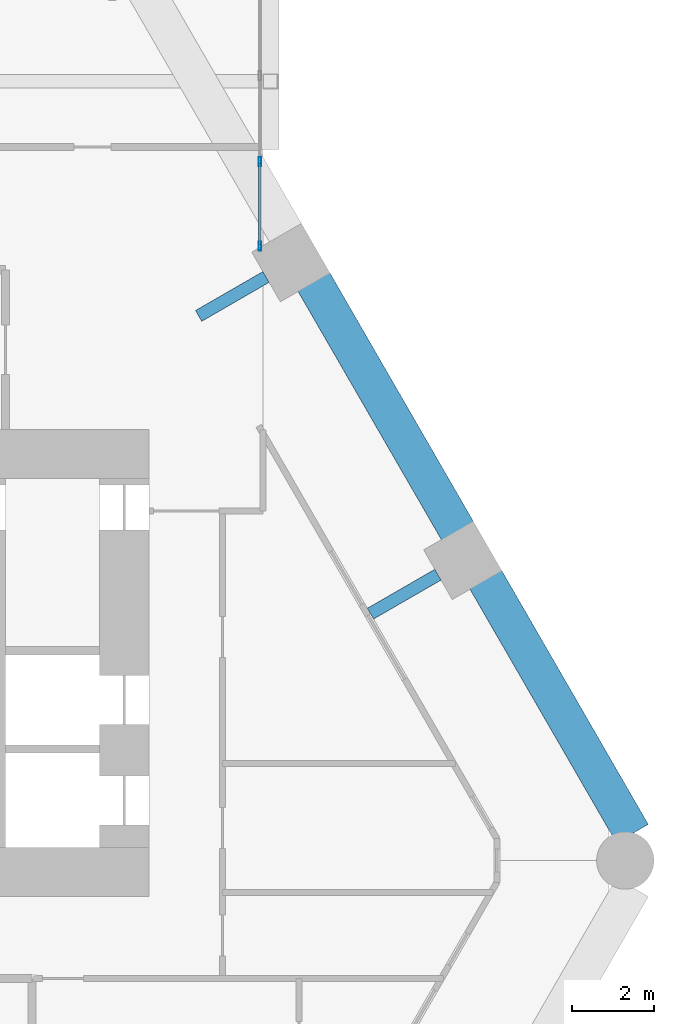
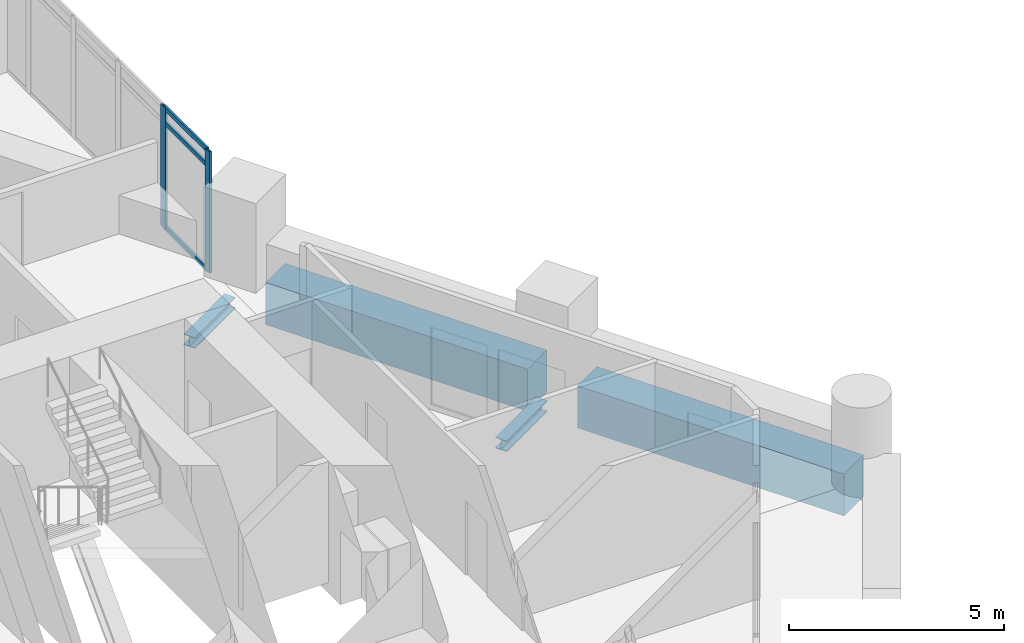
# One storey, part 23 of 38: 5 members, 4 beams, 1 element without a shape of its own.
"""IFC4 building model written with IfcOpenShell, lengths in metres."""

from ifc_helpers import new_model, si_unit, direction, frame, origin, origin_2d, place, context, subcontext, project, spatial, rectangle, hollow_rectangle, i_section, extrude, material, material_profile, profile_set, type_object, element, aggregate, save


model = new_model("IFC4")

# Units and contexts
model_context = context("Model", 3, precision=1e-05, world=origin(), true_north=direction((0.0, 1.0)))
body_context = subcontext(model_context, "Body", "Model", "MODEL_VIEW")
ifc_project = project(units=[si_unit("LENGTHUNIT", "METRE"), si_unit("AREAUNIT", "SQUARE_METRE"), si_unit("VOLUMEUNIT", "CUBIC_METRE"), si_unit("PLANEANGLEUNIT", "RADIAN"), si_unit("MASSUNIT", "GRAM", prefix="KILO")], contexts=[model_context])

# Site, building, storey
site_placement = place(None, origin())
site = spatial("IfcSite", under=ifc_project, at=site_placement, CompositionType="ELEMENT")
building_placement = place(site_placement, origin())
building = spatial("IfcBuilding", under=site, at=building_placement, Name="Ostrander Bayou Hotel Tower", CompositionType="ELEMENT")
storey_placement = place(building_placement, frame((0.0, 0.0, 65.5)))
storey = spatial("IfcBuildingStorey", under=building, at=storey_placement, Name="L16", CompositionType="ELEMENT", Elevation=65.5)

# Curtain wall, members
ifc_material_1 = material(Name="Aluminium and clear glass", Category="aluminium")
curtain_wall_type = type_object("IfcCurtainWallType", Name="CW-BAR glazed wall", PredefinedType="NOTDEFINED", material=ifc_material_1)
curtain_wall_placement = place(storey_placement, origin())
curtain_wall = element("IfcCurtainWall", 1, at=curtain_wall_placement, inside=storey, type_object=curtain_wall_type, Name="CW-BAR L16:SB1N:W", PredefinedType="NOTDEFINED")
ifc_material_2 = material(Name="Aluminium", Category="aluminium")
ifc_material_profile_1 = material_profile(ifc_material_2, hollow_rectangle(XDim=0.06005859375, YDim=0.219970703125, WallThickness=0.00390625, at=origin_2d()))
ifc_profile_set_1 = profile_set([ifc_material_profile_1], Name="Aluminium")
member_type_1 = type_object("IfcMemberType", Name="CW-BR mullion 60 x 220 mm", PredefinedType="MULLION", material=ifc_profile_set_1)
member_1_placement = place(storey_placement, frame((14.712158203125, 14.1767578125, 0.0), z_axis=(0.0, 0.0, 1.0), x_axis=(-1.0, 0.0, 0.0)))
member_1 = element("IfcMember", 2, at=member_1_placement, type_object=member_type_1, Name="CW-BAR mullion 1", PredefinedType="MULLION", context=body_context, shape_type="SweptSolid", body=[
    extrude(hollow_rectangle(XDim=0.06005859375, YDim=0.219970703125, WallThickness=0.00390625, at=origin_2d()), origin(), (0.0, 0.0, 1.0), 3.449951171875),
])
member_2_placement = place(storey_placement, frame((14.712158203125, 16.2392578125, 0.0), z_axis=(0.0, 0.0, 1.0), x_axis=(-1.0, 0.0, 0.0)))
member_2 = element("IfcMember", 3, at=member_2_placement, type_object=member_type_1, Name="CW-BAR mullion 2", PredefinedType="MULLION", context=body_context, shape_type="SweptSolid", body=[
    extrude(hollow_rectangle(XDim=0.06005859375, YDim=0.219970703125, WallThickness=0.00390625, at=origin_2d()), origin(), (0.0, 0.0, 1.0), 3.449951171875),
])
ifc_material_3 = material(Name="Aluminium", Category="aluminium")
ifc_material_profile_2 = material_profile(ifc_material_3, hollow_rectangle(XDim=0.06005859375, YDim=0.1298828125, WallThickness=0.00390625, at=origin_2d()))
ifc_profile_set_2 = profile_set([ifc_material_profile_2], Name="Aluminium")
member_type_2 = type_object("IfcMemberType", Name="CW-BR transom 60 x 130 mm", PredefinedType="USERDEFINED", material=ifc_profile_set_2)
member_3_placement = place(storey_placement, frame((14.712158203125, 14.206787109375, 0.030029296875), z_axis=(0.0, 1.0, 0.0), x_axis=(-1.0, 0.0, 0.0)))
member_3 = element("IfcMember", 4, at=member_3_placement, type_object=member_type_2, Name="CW-BAR transom 1.1", ObjectType="TRANSOM", PredefinedType="USERDEFINED", context=body_context, shape_type="SweptSolid", body=[
    extrude(hollow_rectangle(XDim=0.06005859375, YDim=0.1298828125, WallThickness=0.00390625, at=origin_2d()), origin(), (0.0, 0.0, 1.0), 2.00244140625),
])
member_4_placement = place(storey_placement, frame((14.712158203125, 14.206787109375, 3.0), z_axis=(0.0, 1.0, 0.0), x_axis=(-1.0, 0.0, 0.0)))
member_4 = element("IfcMember", 5, at=member_4_placement, type_object=member_type_2, Name="CW-BAR transom 1.2", ObjectType="TRANSOM", PredefinedType="USERDEFINED", context=body_context, shape_type="SweptSolid", body=[
    extrude(hollow_rectangle(XDim=0.06005859375, YDim=0.1298828125, WallThickness=0.00390625, at=origin_2d()), origin(), (0.0, 0.0, 1.0), 2.00244140625),
])
member_5_placement = place(storey_placement, frame((14.712158203125, 14.206787109375, 3.419921875), z_axis=(0.0, 1.0, 0.0), x_axis=(-1.0, 0.0, 0.0)))
member_5 = element("IfcMember", 6, at=member_5_placement, type_object=member_type_2, Name="CW-BAR transom 1.3", ObjectType="TRANSOM", PredefinedType="USERDEFINED", context=body_context, shape_type="SweptSolid", body=[
    extrude(hollow_rectangle(XDim=0.06005859375, YDim=0.1298828125, WallThickness=0.00390625, at=origin_2d()), origin(), (0.0, 0.0, 1.0), 2.00244140625),
])
aggregate(curtain_wall, [member_1, member_2, member_3, member_4, member_5])

# Beams
ifc_material_4 = material(Name="Steel ASTM A992", Category="steel")
ifc_material_profile_3 = material_profile(ifc_material_4, i_section(OverallWidth=0.3046875, OverallDepth=0.307861328125, WebThickness=0.010009765625, FlangeThickness=0.015380859375, at=origin_2d()))
ifc_profile_set_3 = profile_set([ifc_material_profile_3], Name="Steel ASTM A992")
beam_type_1 = type_object("IfcBeamType", Name="LB1 loggia bracket W12x65", PredefinedType="BEAM", material=ifc_profile_set_3)
for number, where, z_axis, x_axis, name in (
    (7, (19.055908203125, 6.157470703125, -0.453857421875), (-0.866044365799, -0.499967155389, 0.0), (0.499967155389, -0.866044365799, 0.0), "LB1 L16 NE1"),
    (8, (14.860595703125, 13.42431640625, -0.453857421875), (-0.865988727248, -0.500063520245, 0.0), (0.500063520245, -0.865988727248, 0.0), "LB1 L16 NE2"),
):
    element("IfcBeam", number, at=place(storey_placement, frame(where, z_axis=z_axis, x_axis=x_axis)), inside=storey, type_object=beam_type_1, Name=name, PredefinedType="BEAM", context=body_context, shape_type="SweptSolid", body=[
        extrude(i_section(OverallWidth=0.3046875, OverallDepth=0.307861328125, WebThickness=0.010009765625, FlangeThickness=0.015380859375, at=origin_2d()), origin(), (0.0, 0.0, 1.0), 1.900146484375),
    ])
ifc_material_5 = material(Name="Concrete f'c 70 MPa", Category="concrete")
ifc_material_profile_4 = material_profile(ifc_material_5, rectangle(XDim=0.89990234375, YDim=1.199951171875, at=origin_2d()))
ifc_profile_set_4 = profile_set([ifc_material_profile_4], Name="Concrete f'c 70 MPa")
beam_type_2 = type_object("IfcBeamType", Name="SP1 spandrel beam 900 x 1200 mm f'c 70 MPa", PredefinedType="SPANDREL", material=ifc_profile_set_4)
beam_1_placement = place(storey_placement, frame((23.8017578125, -0.162353515625, -0.60009765625), z_axis=(-0.500014005679, 0.866017317451, 0.0), x_axis=(-0.866017317451, -0.500014005679, 0.0)))
element("IfcBeam", 9, at=beam_1_placement, inside=storey, type_object=beam_type_2, Name="SP1 L16 NE-1", PredefinedType="SPANDREL", context=body_context, shape_type="SweptSolid", body=[
    extrude(rectangle(XDim=0.89990234375, YDim=1.199951171875, at=origin_2d()), origin(), (0.0, 0.0, 1.0), 7.176025390625),
])
beam_2_placement = place(storey_placement, frame((19.543701171875, 7.212890625, -0.60009765625), z_axis=(-0.499997206141, 0.866027016814, 0.0), x_axis=(-0.866027016814, -0.499997206141, 0.0)))
element("IfcBeam", 10, at=beam_2_placement, inside=storey, type_object=beam_type_2, Name="SP1 L16 NE-2", PredefinedType="SPANDREL", context=body_context, shape_type="SweptSolid", body=[
    extrude(rectangle(XDim=0.89990234375, YDim=1.199951171875, at=origin_2d()), origin(), (0.0, 0.0, 1.0), 7.05078125),
])

save(model, "model.ifc")
